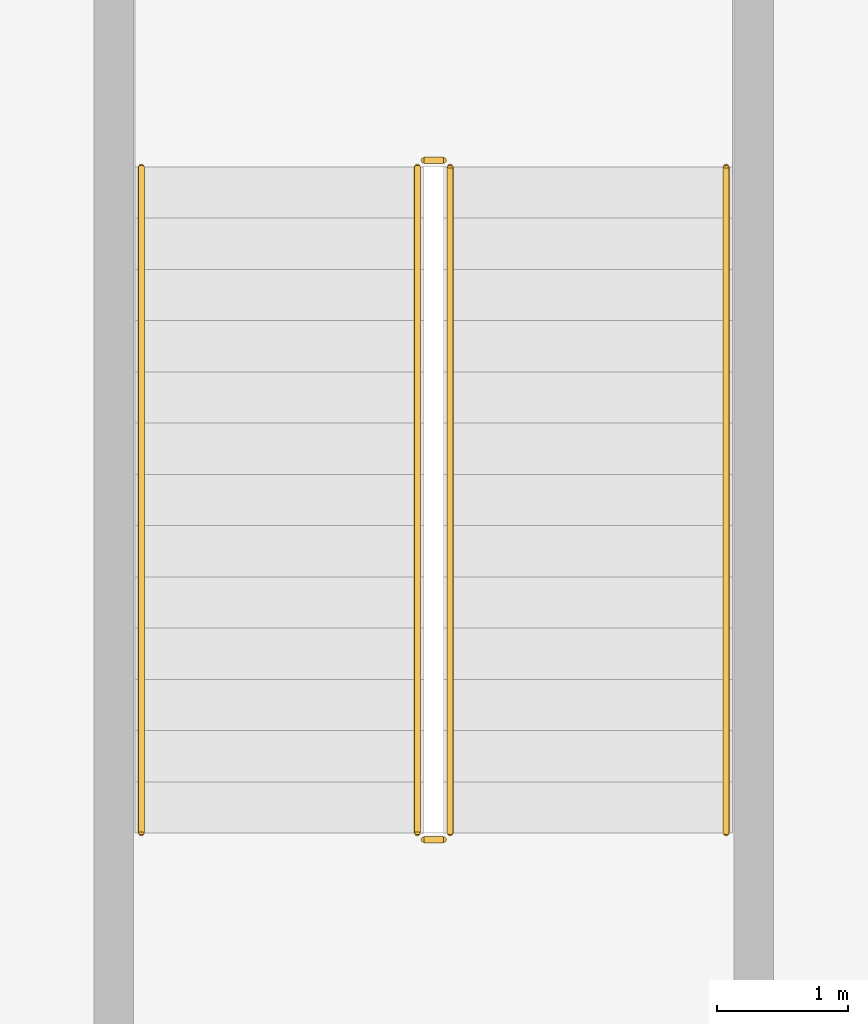
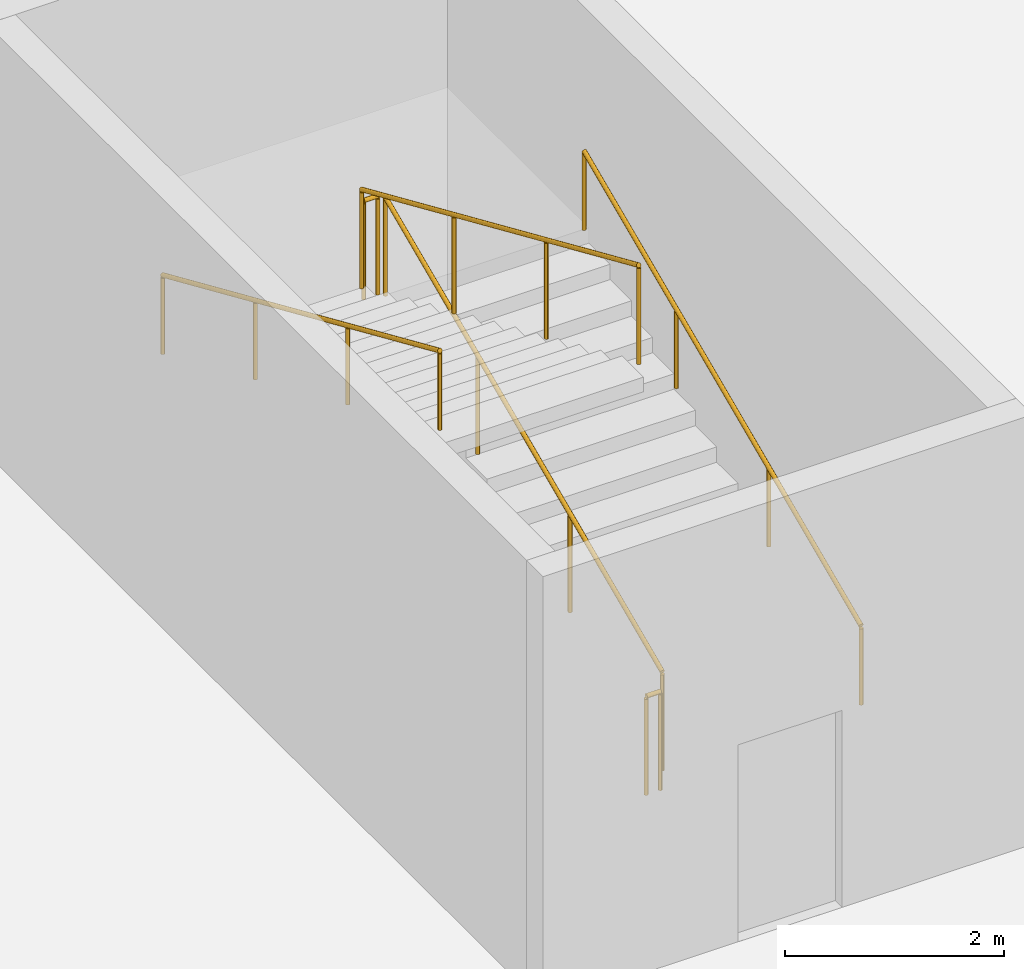
# One storey, part 6 of 9: 6 railings.
"""IFC4 building model written with IfcOpenShell, lengths in metres."""

from ifc_helpers import new_model, si_unit, direction, frame, origin, origin_2d, place, context, subcontext, project, spatial, circle, extrude, material, layer, layer_set, type_object, element, save


model = new_model("IFC4")

# Units and contexts
model_context = context("Model", 3, precision=1e-05, world=origin(), true_north=direction((0.0, 1.0)))
body_context = subcontext(model_context, "Body", "Model", "MODEL_VIEW")
ifc_project = project(units=[si_unit("LENGTHUNIT", "METRE"), si_unit("AREAUNIT", "SQUARE_METRE"), si_unit("VOLUMEUNIT", "CUBIC_METRE"), si_unit("PLANEANGLEUNIT", "RADIAN"), si_unit("MASSUNIT", "GRAM", prefix="KILO")], contexts=[model_context])

# Site, building, storey
site_placement = place(None, origin())
site = spatial("IfcSite", under=ifc_project, at=site_placement, CompositionType="ELEMENT")
building_placement = place(site_placement, origin())
building = spatial("IfcBuilding", under=site, at=building_placement, Name="Hatsunagi Terrace Concourse", CompositionType="ELEMENT")
storey_placement = place(building_placement, frame((0.0, 0.0, -4.800048828125)))
storey = spatial("IfcBuildingStorey", under=building, at=storey_placement, Name="B01", CompositionType="ELEMENT", Elevation=-4.800048828125)

# Railings
ifc_material_1 = material(Name="Stainless steel", Category="steel")
ifc_layer_1 = layer(ifc_material_1, 0.050048828125)
ifc_layer_set_1 = layer_set([ifc_layer_1], Name="StairPitchHandrail_Podium2200")
railing_type_1 = type_object("IfcRailingType", Name="StairPitchHandrail_Podium2200", PredefinedType="HANDRAIL", material=ifc_layer_set_1)
railing_1_placement = place(storey_placement, frame((59.14990234375, 12.0, 0.17138671875)))
element("IfcRailing", 1, at=railing_1_placement, inside=storey, type_object=railing_type_1, Name="B01 ST-P2 stair handrail 1", PredefinedType="HANDRAIL", context=body_context, shape_type="SweptSolid", body=[
    extrude(circle(Radius=0.02392578125, at=origin_2d()), frame((0.0, 0.0, 0.8759765625), z_axis=(0.0, 0.915452779696, 0.402425406936), x_axis=(-1.0, 0.0, 0.0)), (0.0, 0.0, 1.0), 5.538330078125),
    extrude(circle(Radius=0.02099609375, at=origin_2d()), origin(), (0.0, 0.0, 1.0), 0.851806640625),
    extrude(circle(Radius=0.02099609375, at=origin_2d()), frame((0.0, 1.68994140625, 0.742919921875)), (0.0, 0.0, 1.0), 0.851806640625),
    extrude(circle(Radius=0.02099609375, at=origin_2d()), frame((0.0, 3.380126953125, 1.48583984375)), (0.0, 0.0, 1.0), 0.851806640625),
    extrude(circle(Radius=0.02099609375, at=origin_2d()), frame((0.0, 5.070068359375, 2.228759765625)), (0.0, 0.0, 1.0), 0.851806640625),
])
railing_2_placement = place(storey_placement, frame((54.699951171875, 17.070068359375, 2.571533203125)))
element("IfcRailing", 2, at=railing_2_placement, inside=storey, type_object=railing_type_1, Name="B01 ST-P2 stair handrail 2", PredefinedType="HANDRAIL", context=body_context, shape_type="SweptSolid", body=[
    extrude(circle(Radius=0.02392578125, at=origin_2d()), frame((0.0, 0.0, 0.8759765625), z_axis=(0.0, -0.915469019145, 0.40238846279), x_axis=(1.0, 0.0, 0.0)), (0.0, 0.0, 1.0), 5.538330078125),
    extrude(circle(Radius=0.02099609375, at=origin_2d()), origin(), (0.0, 0.0, 1.0), 0.851806640625),
    extrude(circle(Radius=0.02099609375, at=origin_2d()), frame((0.0, -1.68994140625, 0.742919921875)), (0.0, 0.0, 1.0), 0.851806640625),
    extrude(circle(Radius=0.02099609375, at=origin_2d()), frame((0.0, -3.380126953125, 1.485595703125)), (0.0, 0.0, 1.0), 0.851806640625),
    extrude(circle(Radius=0.02099609375, at=origin_2d()), frame((0.0, -5.070068359375, 2.228515625)), (0.0, 0.0, 1.0), 0.851806640625),
])
ifc_material_2 = material(Name="Stainless steel", Category="steel")
ifc_layer_2 = layer(ifc_material_2, 0.06494140625)
ifc_layer_set_2 = layer_set([ifc_layer_2], Name="StairWellGuard_Podium2200")
railing_type_2 = type_object("IfcRailingType", Name="StairWellGuard_Podium2200", PredefinedType="BALUSTRADE", material=ifc_layer_set_2)
railing_3_placement = place(storey_placement, frame((57.050048828125, 12.0, 0.17138671875)))
element("IfcRailing", 3, at=railing_3_placement, inside=storey, type_object=railing_type_2, Name="B01 ST-P2 stair guard 1", PredefinedType="BALUSTRADE", context=body_context, shape_type="SweptSolid", body=[
    extrude(circle(Radius=0.02392578125, at=origin_2d()), frame((0.0, 0.0, 1.09619140625), z_axis=(0.0, 0.915452779696, 0.402425406936), x_axis=(-1.0, 0.0, 0.0)), (0.0, 0.0, 1.0), 5.538330078125),
    extrude(circle(Radius=0.02099609375, at=origin_2d()), origin(), (0.0, 0.0, 1.0), 1.072021484375),
    extrude(circle(Radius=0.02099609375, at=origin_2d()), frame((0.0, 1.68994140625, 0.742919921875)), (0.0, 0.0, 1.0), 1.072021484375),
    extrude(circle(Radius=0.02099609375, at=origin_2d()), frame((0.0, 3.380126953125, 1.48583984375)), (0.0, 0.0, 1.0), 1.072021484375),
    extrude(circle(Radius=0.02099609375, at=origin_2d()), frame((0.0, 5.070068359375, 2.228759765625)), (0.0, 0.0, 1.0), 1.072021484375),
])
railing_4_placement = place(storey_placement, frame((57.0, 17.1201171875, 2.400146484375)))
element("IfcRailing", 4, at=railing_4_placement, inside=storey, type_object=railing_type_2, Name="B01 ST-P2 stair guard 2", PredefinedType="BALUSTRADE", context=body_context, shape_type="SweptSolid", body=[
    extrude(circle(Radius=0.02392578125, at=origin_2d()), frame((0.0, 0.0, 1.09619140625), z_axis=(-1.0, 0.0, 0.0), x_axis=(0.0, -1.0, 0.0)), (0.0, 0.0, 1.0), 0.14990234375),
    extrude(circle(Radius=0.02099609375, at=origin_2d()), origin(), (0.0, 0.0, 1.0), 1.072021484375),
    extrude(circle(Radius=0.02099609375, at=origin_2d()), frame((-0.14990234375, 0.0, 0.0)), (0.0, 0.0, 1.0), 1.072021484375),
])
railing_5_placement = place(storey_placement, frame((56.800048828125, 17.070068359375, 2.571533203125)))
element("IfcRailing", 5, at=railing_5_placement, inside=storey, type_object=railing_type_2, Name="B01 ST-P2 stair guard 3", PredefinedType="BALUSTRADE", context=body_context, shape_type="SweptSolid", body=[
    extrude(circle(Radius=0.02392578125, at=origin_2d()), frame((0.0, 0.0, 1.09619140625), z_axis=(0.0, -0.915469019145, 0.40238846279), x_axis=(1.0, 0.0, 0.0)), (0.0, 0.0, 1.0), 5.538330078125),
    extrude(circle(Radius=0.02099609375, at=origin_2d()), origin(), (0.0, 0.0, 1.0), 1.072021484375),
    extrude(circle(Radius=0.02099609375, at=origin_2d()), frame((0.0, -1.68994140625, 0.742919921875)), (0.0, 0.0, 1.0), 1.072021484375),
    extrude(circle(Radius=0.02099609375, at=origin_2d()), frame((0.0, -3.380126953125, 1.485595703125)), (0.0, 0.0, 1.0), 1.072021484375),
    extrude(circle(Radius=0.02099609375, at=origin_2d()), frame((0.0, -5.070068359375, 2.228515625)), (0.0, 0.0, 1.0), 1.072021484375),
])
railing_6_placement = place(storey_placement, frame((57.0, 11.949951171875, 0.0)))
element("IfcRailing", 6, at=railing_6_placement, inside=storey, type_object=railing_type_2, Name="B01 ST-P2 stair guard 4", PredefinedType="BALUSTRADE", context=body_context, shape_type="SweptSolid", body=[
    extrude(circle(Radius=0.02392578125, at=origin_2d()), frame((0.0, 0.0, 1.09619140625), z_axis=(-1.0, 0.0, 0.0), x_axis=(0.0, -1.0, 0.0)), (0.0, 0.0, 1.0), 0.14990234375),
    extrude(circle(Radius=0.02099609375, at=origin_2d()), origin(), (0.0, 0.0, 1.0), 1.072021484375),
    extrude(circle(Radius=0.02099609375, at=origin_2d()), frame((-0.14990234375, 0.0, 0.0)), (0.0, 0.0, 1.0), 1.072021484375),
])

save(model, "model.ifc")
